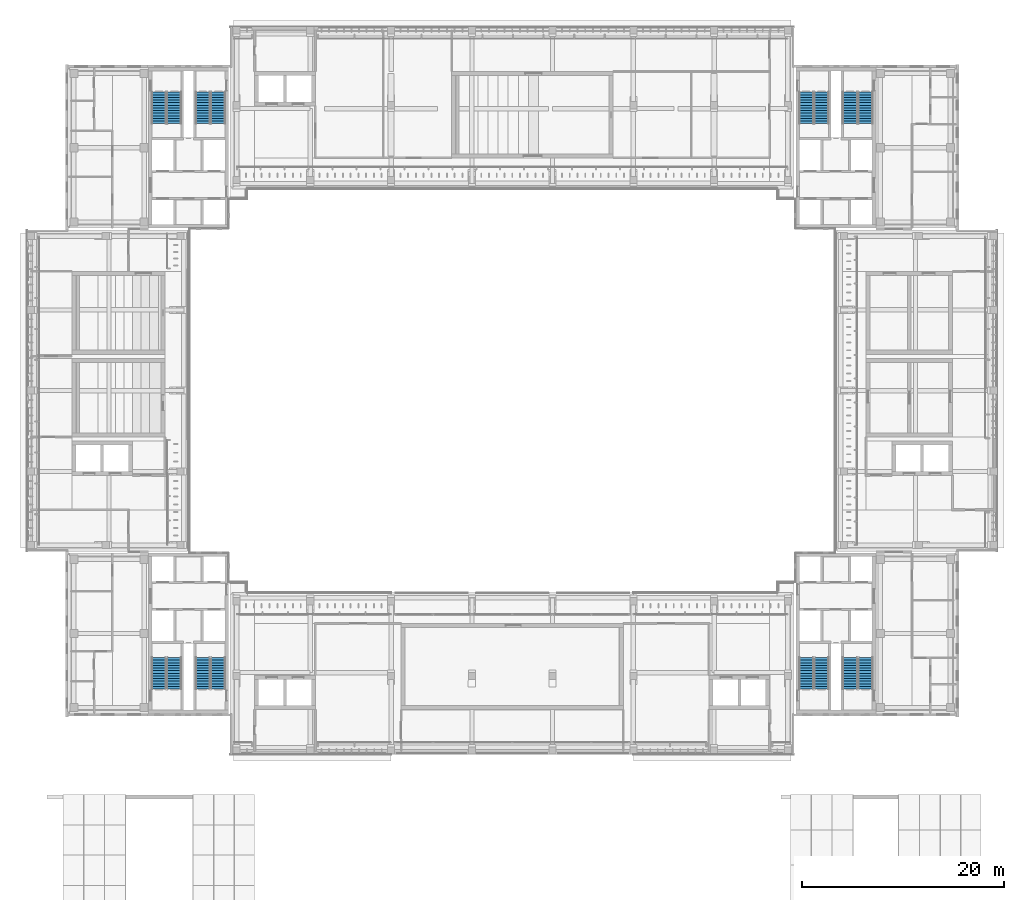
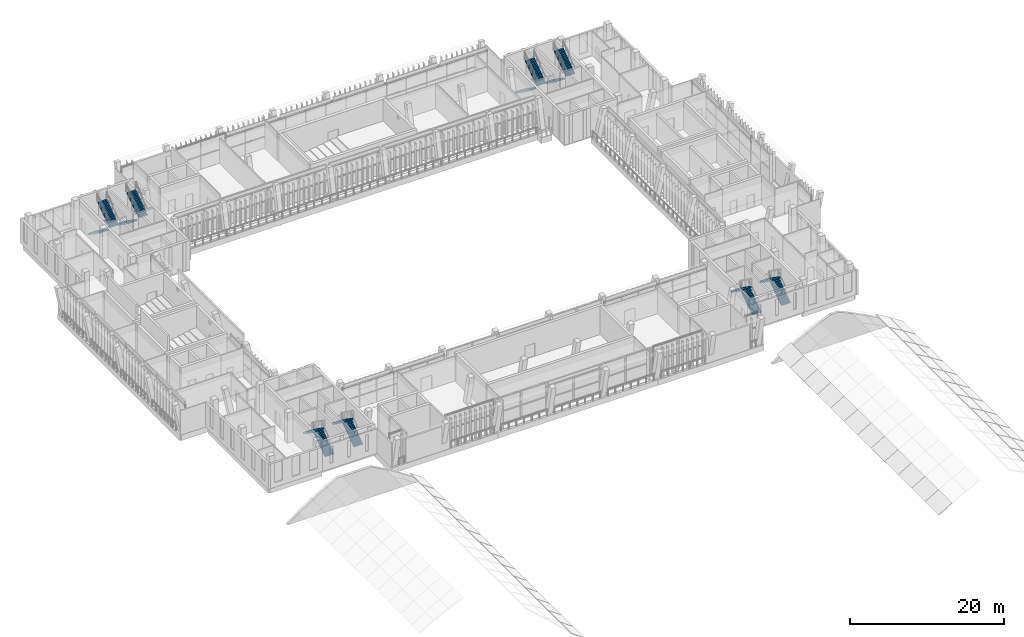
# One storey, part 52 of 74: 16 stair flights, 8 elements without a shape of their own.
"""IFC4 building model written with IfcOpenShell, lengths in metres."""

from ifc_helpers import new_model, si_unit, direction, frame, origin, place, context, subcontext, project, spatial, polyline, outline, extrude, material, type_object, element, aggregate, save


model = new_model("IFC4")

# Units and contexts
model_context = context("Model", 3, precision=1e-05, world=origin(), true_north=direction((0.0, 1.0)))
body_context = subcontext(model_context, "Body", "Model", "MODEL_VIEW")
ifc_project = project(units=[si_unit("LENGTHUNIT", "METRE"), si_unit("AREAUNIT", "SQUARE_METRE"), si_unit("VOLUMEUNIT", "CUBIC_METRE"), si_unit("PLANEANGLEUNIT", "RADIAN"), si_unit("MASSUNIT", "GRAM", prefix="KILO")], contexts=[model_context])

# Site, building, storey
site_placement = place(None, origin())
site = spatial("IfcSite", under=ifc_project, at=site_placement, CompositionType="ELEMENT")
building_placement = place(site_placement, origin())
building = spatial("IfcBuilding", under=site, at=building_placement, Name="Lantern Court Media Centre", CompositionType="ELEMENT")
storey_placement = place(building_placement, frame((0.0, 0.0, 19.199951171875)))
storey = spatial("IfcBuildingStorey", under=building, at=storey_placement, Name="L04", CompositionType="ELEMENT", Elevation=19.199951171875)

# Stair, stair flights
ifc_material = material(Name="Concrete C40", Category="concrete")
stair_type = type_object("IfcStairType", Name="Exit stair 1350", PredefinedType="HALF_TURN_STAIR", material=ifc_material)
stair_1_placement = place(storey_placement, origin())
stair_1 = element("IfcStair", 1, at=stair_1_placement, inside=storey, type_object=stair_type, Name="L04 SW exit stair A", PredefinedType="HALF_TURN_STAIR")
stair_flight_type = type_object("IfcStairFlightType", Name="Stair flight RC 1350", PredefinedType="STRAIGHT", material=ifc_material)
stair_flight_1_placement = place(storey_placement, frame((18.52490234375, 50.449951171875, 0.0), z_axis=(0.0, 0.0, 1.0), x_axis=(0.0, 1.0, 0.0)))
stair_flight_1 = element("IfcStairFlight", 2, at=stair_flight_1_placement, type_object=stair_flight_type, Name="ST-SWA flight 1", NumberOfRisers=13, NumberOfTreads=12, PredefinedType="STRAIGHT", RiserHeight=0.184615385, TreadLength=0.26, context=body_context, shape_type="SweptSolid", body=[
    extrude(outline(polyline([(0.0, 0.0), (0.0, 0.1845703125), (0.260009765625, 0.1845703125), (0.260009765625, 0.369140625), (0.52001953125, 0.369140625), (0.52001953125, 0.553955078125), (0.780029296875, 0.553955078125), (0.780029296875, 0.738525390625), (1.0400390625, 0.738525390625), (1.0400390625, 0.923095703125), (1.300048828125, 0.923095703125), (1.300048828125, 1.107666015625), (1.56005859375, 1.107666015625), (1.56005859375, 1.292236328125), (1.820068359375, 1.292236328125), (1.820068359375, 1.476806640625), (2.080078125, 1.476806640625), (2.080078125, 1.66162109375), (2.340087890625, 1.66162109375), (2.340087890625, 1.84619140625), (2.60009765625, 1.84619140625), (2.60009765625, 2.03076171875), (2.860107421875, 2.03076171875), (2.860107421875, 2.21533203125), (3.1201171875, 2.21533203125), (3.1201171875, 2.39990234375), (3.1201171875, 2.031494140625), (0.259033203125, 0.0), (0.0, 0.0)])), frame((0.0, 0.675048828125, 0.0), z_axis=(0.0, -1.0, 0.0), x_axis=(1.0, 0.0, 0.0)), (0.0, 0.0, 1.0), 1.35009765625),
])
stair_flight_2_placement = place(storey_placement, frame((17.02490234375, 53.570068359375, 2.400146484375), z_axis=(0.0, 0.0, 1.0), x_axis=(0.0, -1.0, 0.0)))
stair_flight_2 = element("IfcStairFlight", 3, at=stair_flight_2_placement, type_object=stair_flight_type, Name="ST-SWA flight 2", NumberOfRisers=13, NumberOfTreads=12, PredefinedType="STRAIGHT", RiserHeight=0.184615385, TreadLength=0.26, context=body_context, shape_type="SweptSolid", body=[
    extrude(outline(polyline([(0.0, 0.0), (0.0, 0.1845703125), (0.260009765625, 0.1845703125), (0.260009765625, 0.369140625), (0.52001953125, 0.369140625), (0.52001953125, 0.553955078125), (0.780029296875, 0.553955078125), (0.780029296875, 0.738525390625), (1.0400390625, 0.738525390625), (1.0400390625, 0.923095703125), (1.300048828125, 0.923095703125), (1.300048828125, 1.107666015625), (1.56005859375, 1.107666015625), (1.56005859375, 1.292236328125), (1.820068359375, 1.292236328125), (1.820068359375, 1.476806640625), (2.080078125, 1.476806640625), (2.080078125, 1.66162109375), (2.340087890625, 1.66162109375), (2.340087890625, 1.84619140625), (2.60009765625, 1.84619140625), (2.60009765625, 2.03076171875), (2.860107421875, 2.03076171875), (2.860107421875, 2.21533203125), (3.1201171875, 2.21533203125), (3.1201171875, 2.39990234375), (3.1201171875, 2.031494140625), (0.259033203125, 0.0), (0.0, 0.0)])), frame((0.0, 0.675048828125, 0.0), z_axis=(0.0, -1.0, 0.0), x_axis=(1.0, 0.0, 0.0)), (0.0, 0.0, 1.0), 1.35009765625),
])
aggregate(stair_1, [stair_flight_1, stair_flight_2])

stair_2_placement = place(storey_placement, origin())
stair_2 = element("IfcStair", 4, at=stair_2_placement, inside=storey, type_object=stair_type, Name="L04 SW exit stair B", PredefinedType="HALF_TURN_STAIR")
stair_flight_3_placement = place(storey_placement, frame((22.875, 50.449951171875, 0.0), z_axis=(0.0, 0.0, 1.0), x_axis=(0.0, 1.0, 0.0)))
stair_flight_3 = element("IfcStairFlight", 5, at=stair_flight_3_placement, type_object=stair_flight_type, Name="ST-SWB flight 1", NumberOfRisers=13, NumberOfTreads=12, PredefinedType="STRAIGHT", RiserHeight=0.184615385, TreadLength=0.26, context=body_context, shape_type="SweptSolid", body=[
    extrude(outline(polyline([(0.0, 0.0), (0.0, 0.1845703125), (0.260009765625, 0.1845703125), (0.260009765625, 0.369140625), (0.52001953125, 0.369140625), (0.52001953125, 0.553955078125), (0.780029296875, 0.553955078125), (0.780029296875, 0.738525390625), (1.0400390625, 0.738525390625), (1.0400390625, 0.923095703125), (1.300048828125, 0.923095703125), (1.300048828125, 1.107666015625), (1.56005859375, 1.107666015625), (1.56005859375, 1.292236328125), (1.820068359375, 1.292236328125), (1.820068359375, 1.476806640625), (2.080078125, 1.476806640625), (2.080078125, 1.66162109375), (2.340087890625, 1.66162109375), (2.340087890625, 1.84619140625), (2.60009765625, 1.84619140625), (2.60009765625, 2.03076171875), (2.860107421875, 2.03076171875), (2.860107421875, 2.21533203125), (3.1201171875, 2.21533203125), (3.1201171875, 2.39990234375), (3.1201171875, 2.031494140625), (0.259033203125, 0.0), (0.0, 0.0)])), frame((0.0, 0.675048828125, 0.0), z_axis=(0.0, -1.0, 0.0), x_axis=(1.0, 0.0, 0.0)), (0.0, 0.0, 1.0), 1.35009765625),
])
stair_flight_4_placement = place(storey_placement, frame((21.375, 53.570068359375, 2.400146484375), z_axis=(0.0, 0.0, 1.0), x_axis=(0.0, -1.0, 0.0)))
stair_flight_4 = element("IfcStairFlight", 6, at=stair_flight_4_placement, type_object=stair_flight_type, Name="ST-SWB flight 2", NumberOfRisers=13, NumberOfTreads=12, PredefinedType="STRAIGHT", RiserHeight=0.184615385, TreadLength=0.26, context=body_context, shape_type="SweptSolid", body=[
    extrude(outline(polyline([(0.0, 0.0), (0.0, 0.1845703125), (0.260009765625, 0.1845703125), (0.260009765625, 0.369140625), (0.52001953125, 0.369140625), (0.52001953125, 0.553955078125), (0.780029296875, 0.553955078125), (0.780029296875, 0.738525390625), (1.0400390625, 0.738525390625), (1.0400390625, 0.923095703125), (1.300048828125, 0.923095703125), (1.300048828125, 1.107666015625), (1.56005859375, 1.107666015625), (1.56005859375, 1.292236328125), (1.820068359375, 1.292236328125), (1.820068359375, 1.476806640625), (2.080078125, 1.476806640625), (2.080078125, 1.66162109375), (2.340087890625, 1.66162109375), (2.340087890625, 1.84619140625), (2.60009765625, 1.84619140625), (2.60009765625, 2.03076171875), (2.860107421875, 2.03076171875), (2.860107421875, 2.21533203125), (3.1201171875, 2.21533203125), (3.1201171875, 2.39990234375), (3.1201171875, 2.031494140625), (0.259033203125, 0.0), (0.0, 0.0)])), frame((0.0, 0.675048828125, 0.0), z_axis=(0.0, -1.0, 0.0), x_axis=(1.0, 0.0, 0.0)), (0.0, 0.0, 1.0), 1.35009765625),
])
aggregate(stair_2, [stair_flight_3, stair_flight_4])

stair_3_placement = place(storey_placement, origin())
stair_3 = element("IfcStair", 7, at=stair_3_placement, inside=storey, type_object=stair_type, Name="L04 SE exit stair A", PredefinedType="HALF_TURN_STAIR")
stair_flight_5_placement = place(storey_placement, frame((86.97509765625, 50.449951171875, 0.0), z_axis=(0.0, 0.0, 1.0), x_axis=(0.0, 1.0, 0.0)))
stair_flight_5 = element("IfcStairFlight", 8, at=stair_flight_5_placement, type_object=stair_flight_type, Name="ST-SEA flight 1", NumberOfRisers=13, NumberOfTreads=12, PredefinedType="STRAIGHT", RiserHeight=0.184615385, TreadLength=0.26, context=body_context, shape_type="SweptSolid", body=[
    extrude(outline(polyline([(0.0, 0.0), (0.0, 0.1845703125), (0.260009765625, 0.1845703125), (0.260009765625, 0.369140625), (0.52001953125, 0.369140625), (0.52001953125, 0.553955078125), (0.780029296875, 0.553955078125), (0.780029296875, 0.738525390625), (1.0400390625, 0.738525390625), (1.0400390625, 0.923095703125), (1.300048828125, 0.923095703125), (1.300048828125, 1.107666015625), (1.56005859375, 1.107666015625), (1.56005859375, 1.292236328125), (1.820068359375, 1.292236328125), (1.820068359375, 1.476806640625), (2.080078125, 1.476806640625), (2.080078125, 1.66162109375), (2.340087890625, 1.66162109375), (2.340087890625, 1.84619140625), (2.60009765625, 1.84619140625), (2.60009765625, 2.03076171875), (2.860107421875, 2.03076171875), (2.860107421875, 2.21533203125), (3.1201171875, 2.21533203125), (3.1201171875, 2.39990234375), (3.1201171875, 2.031494140625), (0.259033203125, 0.0), (0.0, 0.0)])), frame((0.0, 0.675048828125, 0.0), z_axis=(0.0, -1.0, 0.0), x_axis=(1.0, 0.0, 0.0)), (0.0, 0.0, 1.0), 1.35009765625),
])
stair_flight_6_placement = place(storey_placement, frame((85.47509765625, 53.570068359375, 2.400146484375), z_axis=(0.0, 0.0, 1.0), x_axis=(0.0, -1.0, 0.0)))
stair_flight_6 = element("IfcStairFlight", 9, at=stair_flight_6_placement, type_object=stair_flight_type, Name="ST-SEA flight 2", NumberOfRisers=13, NumberOfTreads=12, PredefinedType="STRAIGHT", RiserHeight=0.184615385, TreadLength=0.26, context=body_context, shape_type="SweptSolid", body=[
    extrude(outline(polyline([(0.0, 0.0), (0.0, 0.1845703125), (0.260009765625, 0.1845703125), (0.260009765625, 0.369140625), (0.52001953125, 0.369140625), (0.52001953125, 0.553955078125), (0.780029296875, 0.553955078125), (0.780029296875, 0.738525390625), (1.0400390625, 0.738525390625), (1.0400390625, 0.923095703125), (1.300048828125, 0.923095703125), (1.300048828125, 1.107666015625), (1.56005859375, 1.107666015625), (1.56005859375, 1.292236328125), (1.820068359375, 1.292236328125), (1.820068359375, 1.476806640625), (2.080078125, 1.476806640625), (2.080078125, 1.66162109375), (2.340087890625, 1.66162109375), (2.340087890625, 1.84619140625), (2.60009765625, 1.84619140625), (2.60009765625, 2.03076171875), (2.860107421875, 2.03076171875), (2.860107421875, 2.21533203125), (3.1201171875, 2.21533203125), (3.1201171875, 2.39990234375), (3.1201171875, 2.031494140625), (0.259033203125, 0.0), (0.0, 0.0)])), frame((0.0, 0.675048828125, 0.0), z_axis=(0.0, -1.0, 0.0), x_axis=(1.0, 0.0, 0.0)), (0.0, 0.0, 1.0), 1.35009765625),
])
aggregate(stair_3, [stair_flight_5, stair_flight_6])

stair_4_placement = place(storey_placement, origin())
stair_4 = element("IfcStair", 10, at=stair_4_placement, inside=storey, type_object=stair_type, Name="L04 SE exit stair B", PredefinedType="HALF_TURN_STAIR")
stair_flight_7_placement = place(storey_placement, frame((82.625, 50.449951171875, 0.0), z_axis=(0.0, 0.0, 1.0), x_axis=(0.0, 1.0, 0.0)))
stair_flight_7 = element("IfcStairFlight", 11, at=stair_flight_7_placement, type_object=stair_flight_type, Name="ST-SEB flight 1", NumberOfRisers=13, NumberOfTreads=12, PredefinedType="STRAIGHT", RiserHeight=0.184615385, TreadLength=0.26, context=body_context, shape_type="SweptSolid", body=[
    extrude(outline(polyline([(0.0, 0.0), (0.0, 0.1845703125), (0.260009765625, 0.1845703125), (0.260009765625, 0.369140625), (0.52001953125, 0.369140625), (0.52001953125, 0.553955078125), (0.780029296875, 0.553955078125), (0.780029296875, 0.738525390625), (1.0400390625, 0.738525390625), (1.0400390625, 0.923095703125), (1.300048828125, 0.923095703125), (1.300048828125, 1.107666015625), (1.56005859375, 1.107666015625), (1.56005859375, 1.292236328125), (1.820068359375, 1.292236328125), (1.820068359375, 1.476806640625), (2.080078125, 1.476806640625), (2.080078125, 1.66162109375), (2.340087890625, 1.66162109375), (2.340087890625, 1.84619140625), (2.60009765625, 1.84619140625), (2.60009765625, 2.03076171875), (2.860107421875, 2.03076171875), (2.860107421875, 2.21533203125), (3.1201171875, 2.21533203125), (3.1201171875, 2.39990234375), (3.1201171875, 2.031494140625), (0.259033203125, 0.0), (0.0, 0.0)])), frame((0.0, 0.675048828125, 0.0), z_axis=(0.0, -1.0, 0.0), x_axis=(1.0, 0.0, 0.0)), (0.0, 0.0, 1.0), 1.35009765625),
])
stair_flight_8_placement = place(storey_placement, frame((81.125, 53.570068359375, 2.400146484375), z_axis=(0.0, 0.0, 1.0), x_axis=(0.0, -1.0, 0.0)))
stair_flight_8 = element("IfcStairFlight", 12, at=stair_flight_8_placement, type_object=stair_flight_type, Name="ST-SEB flight 2", NumberOfRisers=13, NumberOfTreads=12, PredefinedType="STRAIGHT", RiserHeight=0.184615385, TreadLength=0.26, context=body_context, shape_type="SweptSolid", body=[
    extrude(outline(polyline([(0.0, 0.0), (0.0, 0.1845703125), (0.260009765625, 0.1845703125), (0.260009765625, 0.369140625), (0.52001953125, 0.369140625), (0.52001953125, 0.553955078125), (0.780029296875, 0.553955078125), (0.780029296875, 0.738525390625), (1.0400390625, 0.738525390625), (1.0400390625, 0.923095703125), (1.300048828125, 0.923095703125), (1.300048828125, 1.107666015625), (1.56005859375, 1.107666015625), (1.56005859375, 1.292236328125), (1.820068359375, 1.292236328125), (1.820068359375, 1.476806640625), (2.080078125, 1.476806640625), (2.080078125, 1.66162109375), (2.340087890625, 1.66162109375), (2.340087890625, 1.84619140625), (2.60009765625, 1.84619140625), (2.60009765625, 2.03076171875), (2.860107421875, 2.03076171875), (2.860107421875, 2.21533203125), (3.1201171875, 2.21533203125), (3.1201171875, 2.39990234375), (3.1201171875, 2.031494140625), (0.259033203125, 0.0), (0.0, 0.0)])), frame((0.0, 0.675048828125, 0.0), z_axis=(0.0, -1.0, 0.0), x_axis=(1.0, 0.0, 0.0)), (0.0, 0.0, 1.0), 1.35009765625),
])
aggregate(stair_4, [stair_flight_7, stair_flight_8])

stair_5_placement = place(storey_placement, origin())
stair_5 = element("IfcStair", 13, at=stair_5_placement, inside=storey, type_object=stair_type, Name="L04 NW exit stair A", PredefinedType="HALF_TURN_STAIR")
stair_flight_9_placement = place(storey_placement, frame((17.02490234375, 109.550048828125, 0.0), z_axis=(0.0, 0.0, 1.0), x_axis=(0.0, -1.0, 0.0)))
stair_flight_9 = element("IfcStairFlight", 14, at=stair_flight_9_placement, type_object=stair_flight_type, Name="ST-NWA flight 1", NumberOfRisers=13, NumberOfTreads=12, PredefinedType="STRAIGHT", RiserHeight=0.184615385, TreadLength=0.26, context=body_context, shape_type="SweptSolid", body=[
    extrude(outline(polyline([(0.0, 0.0), (0.0, 0.1845703125), (0.260009765625, 0.1845703125), (0.260009765625, 0.369140625), (0.52001953125, 0.369140625), (0.52001953125, 0.553955078125), (0.780029296875, 0.553955078125), (0.780029296875, 0.738525390625), (1.0400390625, 0.738525390625), (1.0400390625, 0.923095703125), (1.300048828125, 0.923095703125), (1.300048828125, 1.107666015625), (1.56005859375, 1.107666015625), (1.56005859375, 1.292236328125), (1.820068359375, 1.292236328125), (1.820068359375, 1.476806640625), (2.080078125, 1.476806640625), (2.080078125, 1.66162109375), (2.340087890625, 1.66162109375), (2.340087890625, 1.84619140625), (2.60009765625, 1.84619140625), (2.60009765625, 2.03076171875), (2.860107421875, 2.03076171875), (2.860107421875, 2.21533203125), (3.1201171875, 2.21533203125), (3.1201171875, 2.39990234375), (3.1201171875, 2.031494140625), (0.259033203125, 0.0), (0.0, 0.0)])), frame((0.0, 0.675048828125, 0.0), z_axis=(0.0, -1.0, 0.0), x_axis=(1.0, 0.0, 0.0)), (0.0, 0.0, 1.0), 1.35009765625),
])
stair_flight_10_placement = place(storey_placement, frame((18.52490234375, 106.429931640625, 2.400146484375), z_axis=(0.0, 0.0, 1.0), x_axis=(0.0, 1.0, 0.0)))
stair_flight_10 = element("IfcStairFlight", 15, at=stair_flight_10_placement, type_object=stair_flight_type, Name="ST-NWA flight 2", NumberOfRisers=13, NumberOfTreads=12, PredefinedType="STRAIGHT", RiserHeight=0.184615385, TreadLength=0.26, context=body_context, shape_type="SweptSolid", body=[
    extrude(outline(polyline([(0.0, 0.0), (0.0, 0.1845703125), (0.260009765625, 0.1845703125), (0.260009765625, 0.369140625), (0.52001953125, 0.369140625), (0.52001953125, 0.553955078125), (0.780029296875, 0.553955078125), (0.780029296875, 0.738525390625), (1.0400390625, 0.738525390625), (1.0400390625, 0.923095703125), (1.300048828125, 0.923095703125), (1.300048828125, 1.107666015625), (1.56005859375, 1.107666015625), (1.56005859375, 1.292236328125), (1.820068359375, 1.292236328125), (1.820068359375, 1.476806640625), (2.080078125, 1.476806640625), (2.080078125, 1.66162109375), (2.340087890625, 1.66162109375), (2.340087890625, 1.84619140625), (2.60009765625, 1.84619140625), (2.60009765625, 2.03076171875), (2.860107421875, 2.03076171875), (2.860107421875, 2.21533203125), (3.1201171875, 2.21533203125), (3.1201171875, 2.39990234375), (3.1201171875, 2.031494140625), (0.259033203125, 0.0), (0.0, 0.0)])), frame((0.0, 0.675048828125, 0.0), z_axis=(0.0, -1.0, 0.0), x_axis=(1.0, 0.0, 0.0)), (0.0, 0.0, 1.0), 1.35009765625),
])
aggregate(stair_5, [stair_flight_9, stair_flight_10])

stair_6_placement = place(storey_placement, origin())
stair_6 = element("IfcStair", 16, at=stair_6_placement, inside=storey, type_object=stair_type, Name="L04 NW exit stair B", PredefinedType="HALF_TURN_STAIR")
stair_flight_11_placement = place(storey_placement, frame((21.375, 109.550048828125, 0.0), z_axis=(0.0, 0.0, 1.0), x_axis=(0.0, -1.0, 0.0)))
stair_flight_11 = element("IfcStairFlight", 17, at=stair_flight_11_placement, type_object=stair_flight_type, Name="ST-NWB flight 1", NumberOfRisers=13, NumberOfTreads=12, PredefinedType="STRAIGHT", RiserHeight=0.184615385, TreadLength=0.26, context=body_context, shape_type="SweptSolid", body=[
    extrude(outline(polyline([(0.0, 0.0), (0.0, 0.1845703125), (0.260009765625, 0.1845703125), (0.260009765625, 0.369140625), (0.52001953125, 0.369140625), (0.52001953125, 0.553955078125), (0.780029296875, 0.553955078125), (0.780029296875, 0.738525390625), (1.0400390625, 0.738525390625), (1.0400390625, 0.923095703125), (1.300048828125, 0.923095703125), (1.300048828125, 1.107666015625), (1.56005859375, 1.107666015625), (1.56005859375, 1.292236328125), (1.820068359375, 1.292236328125), (1.820068359375, 1.476806640625), (2.080078125, 1.476806640625), (2.080078125, 1.66162109375), (2.340087890625, 1.66162109375), (2.340087890625, 1.84619140625), (2.60009765625, 1.84619140625), (2.60009765625, 2.03076171875), (2.860107421875, 2.03076171875), (2.860107421875, 2.21533203125), (3.1201171875, 2.21533203125), (3.1201171875, 2.39990234375), (3.1201171875, 2.031494140625), (0.259033203125, 0.0), (0.0, 0.0)])), frame((0.0, 0.675048828125, 0.0), z_axis=(0.0, -1.0, 0.0), x_axis=(1.0, 0.0, 0.0)), (0.0, 0.0, 1.0), 1.35009765625),
])
stair_flight_12_placement = place(storey_placement, frame((22.875, 106.429931640625, 2.400146484375), z_axis=(0.0, 0.0, 1.0), x_axis=(0.0, 1.0, 0.0)))
stair_flight_12 = element("IfcStairFlight", 18, at=stair_flight_12_placement, type_object=stair_flight_type, Name="ST-NWB flight 2", NumberOfRisers=13, NumberOfTreads=12, PredefinedType="STRAIGHT", RiserHeight=0.184615385, TreadLength=0.26, context=body_context, shape_type="SweptSolid", body=[
    extrude(outline(polyline([(0.0, 0.0), (0.0, 0.1845703125), (0.260009765625, 0.1845703125), (0.260009765625, 0.369140625), (0.52001953125, 0.369140625), (0.52001953125, 0.553955078125), (0.780029296875, 0.553955078125), (0.780029296875, 0.738525390625), (1.0400390625, 0.738525390625), (1.0400390625, 0.923095703125), (1.300048828125, 0.923095703125), (1.300048828125, 1.107666015625), (1.56005859375, 1.107666015625), (1.56005859375, 1.292236328125), (1.820068359375, 1.292236328125), (1.820068359375, 1.476806640625), (2.080078125, 1.476806640625), (2.080078125, 1.66162109375), (2.340087890625, 1.66162109375), (2.340087890625, 1.84619140625), (2.60009765625, 1.84619140625), (2.60009765625, 2.03076171875), (2.860107421875, 2.03076171875), (2.860107421875, 2.21533203125), (3.1201171875, 2.21533203125), (3.1201171875, 2.39990234375), (3.1201171875, 2.031494140625), (0.259033203125, 0.0), (0.0, 0.0)])), frame((0.0, 0.675048828125, 0.0), z_axis=(0.0, -1.0, 0.0), x_axis=(1.0, 0.0, 0.0)), (0.0, 0.0, 1.0), 1.35009765625),
])
aggregate(stair_6, [stair_flight_11, stair_flight_12])

stair_7_placement = place(storey_placement, origin())
stair_7 = element("IfcStair", 19, at=stair_7_placement, inside=storey, type_object=stair_type, Name="L04 NE exit stair A", PredefinedType="HALF_TURN_STAIR")
stair_flight_13_placement = place(storey_placement, frame((85.47509765625, 109.550048828125, 0.0), z_axis=(0.0, 0.0, 1.0), x_axis=(0.0, -1.0, 0.0)))
stair_flight_13 = element("IfcStairFlight", 20, at=stair_flight_13_placement, type_object=stair_flight_type, Name="ST-NEA flight 1", NumberOfRisers=13, NumberOfTreads=12, PredefinedType="STRAIGHT", RiserHeight=0.184615385, TreadLength=0.26, context=body_context, shape_type="SweptSolid", body=[
    extrude(outline(polyline([(0.0, 0.0), (0.0, 0.1845703125), (0.260009765625, 0.1845703125), (0.260009765625, 0.369140625), (0.52001953125, 0.369140625), (0.52001953125, 0.553955078125), (0.780029296875, 0.553955078125), (0.780029296875, 0.738525390625), (1.0400390625, 0.738525390625), (1.0400390625, 0.923095703125), (1.300048828125, 0.923095703125), (1.300048828125, 1.107666015625), (1.56005859375, 1.107666015625), (1.56005859375, 1.292236328125), (1.820068359375, 1.292236328125), (1.820068359375, 1.476806640625), (2.080078125, 1.476806640625), (2.080078125, 1.66162109375), (2.340087890625, 1.66162109375), (2.340087890625, 1.84619140625), (2.60009765625, 1.84619140625), (2.60009765625, 2.03076171875), (2.860107421875, 2.03076171875), (2.860107421875, 2.21533203125), (3.1201171875, 2.21533203125), (3.1201171875, 2.39990234375), (3.1201171875, 2.031494140625), (0.259033203125, 0.0), (0.0, 0.0)])), frame((0.0, 0.675048828125, 0.0), z_axis=(0.0, -1.0, 0.0), x_axis=(1.0, 0.0, 0.0)), (0.0, 0.0, 1.0), 1.35009765625),
])
stair_flight_14_placement = place(storey_placement, frame((86.97509765625, 106.429931640625, 2.400146484375), z_axis=(0.0, 0.0, 1.0), x_axis=(0.0, 1.0, 0.0)))
stair_flight_14 = element("IfcStairFlight", 21, at=stair_flight_14_placement, type_object=stair_flight_type, Name="ST-NEA flight 2", NumberOfRisers=13, NumberOfTreads=12, PredefinedType="STRAIGHT", RiserHeight=0.184615385, TreadLength=0.26, context=body_context, shape_type="SweptSolid", body=[
    extrude(outline(polyline([(0.0, 0.0), (0.0, 0.1845703125), (0.260009765625, 0.1845703125), (0.260009765625, 0.369140625), (0.52001953125, 0.369140625), (0.52001953125, 0.553955078125), (0.780029296875, 0.553955078125), (0.780029296875, 0.738525390625), (1.0400390625, 0.738525390625), (1.0400390625, 0.923095703125), (1.300048828125, 0.923095703125), (1.300048828125, 1.107666015625), (1.56005859375, 1.107666015625), (1.56005859375, 1.292236328125), (1.820068359375, 1.292236328125), (1.820068359375, 1.476806640625), (2.080078125, 1.476806640625), (2.080078125, 1.66162109375), (2.340087890625, 1.66162109375), (2.340087890625, 1.84619140625), (2.60009765625, 1.84619140625), (2.60009765625, 2.03076171875), (2.860107421875, 2.03076171875), (2.860107421875, 2.21533203125), (3.1201171875, 2.21533203125), (3.1201171875, 2.39990234375), (3.1201171875, 2.031494140625), (0.259033203125, 0.0), (0.0, 0.0)])), frame((0.0, 0.675048828125, 0.0), z_axis=(0.0, -1.0, 0.0), x_axis=(1.0, 0.0, 0.0)), (0.0, 0.0, 1.0), 1.35009765625),
])
aggregate(stair_7, [stair_flight_13, stair_flight_14])

stair_8_placement = place(storey_placement, origin())
stair_8 = element("IfcStair", 22, at=stair_8_placement, inside=storey, type_object=stair_type, Name="L04 NE exit stair B", PredefinedType="HALF_TURN_STAIR")
stair_flight_15_placement = place(storey_placement, frame((81.125, 109.550048828125, 0.0), z_axis=(0.0, 0.0, 1.0), x_axis=(0.0, -1.0, 0.0)))
stair_flight_15 = element("IfcStairFlight", 23, at=stair_flight_15_placement, type_object=stair_flight_type, Name="ST-NEB flight 1", NumberOfRisers=13, NumberOfTreads=12, PredefinedType="STRAIGHT", RiserHeight=0.184615385, TreadLength=0.26, context=body_context, shape_type="SweptSolid", body=[
    extrude(outline(polyline([(0.0, 0.0), (0.0, 0.1845703125), (0.260009765625, 0.1845703125), (0.260009765625, 0.369140625), (0.52001953125, 0.369140625), (0.52001953125, 0.553955078125), (0.780029296875, 0.553955078125), (0.780029296875, 0.738525390625), (1.0400390625, 0.738525390625), (1.0400390625, 0.923095703125), (1.300048828125, 0.923095703125), (1.300048828125, 1.107666015625), (1.56005859375, 1.107666015625), (1.56005859375, 1.292236328125), (1.820068359375, 1.292236328125), (1.820068359375, 1.476806640625), (2.080078125, 1.476806640625), (2.080078125, 1.66162109375), (2.340087890625, 1.66162109375), (2.340087890625, 1.84619140625), (2.60009765625, 1.84619140625), (2.60009765625, 2.03076171875), (2.860107421875, 2.03076171875), (2.860107421875, 2.21533203125), (3.1201171875, 2.21533203125), (3.1201171875, 2.39990234375), (3.1201171875, 2.031494140625), (0.259033203125, 0.0), (0.0, 0.0)])), frame((0.0, 0.675048828125, 0.0), z_axis=(0.0, -1.0, 0.0), x_axis=(1.0, 0.0, 0.0)), (0.0, 0.0, 1.0), 1.35009765625),
])
stair_flight_16_placement = place(storey_placement, frame((82.625, 106.429931640625, 2.400146484375), z_axis=(0.0, 0.0, 1.0), x_axis=(0.0, 1.0, 0.0)))
stair_flight_16 = element("IfcStairFlight", 24, at=stair_flight_16_placement, type_object=stair_flight_type, Name="ST-NEB flight 2", NumberOfRisers=13, NumberOfTreads=12, PredefinedType="STRAIGHT", RiserHeight=0.184615385, TreadLength=0.26, context=body_context, shape_type="SweptSolid", body=[
    extrude(outline(polyline([(0.0, 0.0), (0.0, 0.1845703125), (0.260009765625, 0.1845703125), (0.260009765625, 0.369140625), (0.52001953125, 0.369140625), (0.52001953125, 0.553955078125), (0.780029296875, 0.553955078125), (0.780029296875, 0.738525390625), (1.0400390625, 0.738525390625), (1.0400390625, 0.923095703125), (1.300048828125, 0.923095703125), (1.300048828125, 1.107666015625), (1.56005859375, 1.107666015625), (1.56005859375, 1.292236328125), (1.820068359375, 1.292236328125), (1.820068359375, 1.476806640625), (2.080078125, 1.476806640625), (2.080078125, 1.66162109375), (2.340087890625, 1.66162109375), (2.340087890625, 1.84619140625), (2.60009765625, 1.84619140625), (2.60009765625, 2.03076171875), (2.860107421875, 2.03076171875), (2.860107421875, 2.21533203125), (3.1201171875, 2.21533203125), (3.1201171875, 2.39990234375), (3.1201171875, 2.031494140625), (0.259033203125, 0.0), (0.0, 0.0)])), frame((0.0, 0.675048828125, 0.0), z_axis=(0.0, -1.0, 0.0), x_axis=(1.0, 0.0, 0.0)), (0.0, 0.0, 1.0), 1.35009765625),
])
aggregate(stair_8, [stair_flight_15, stair_flight_16])

save(model, "model.ifc")
